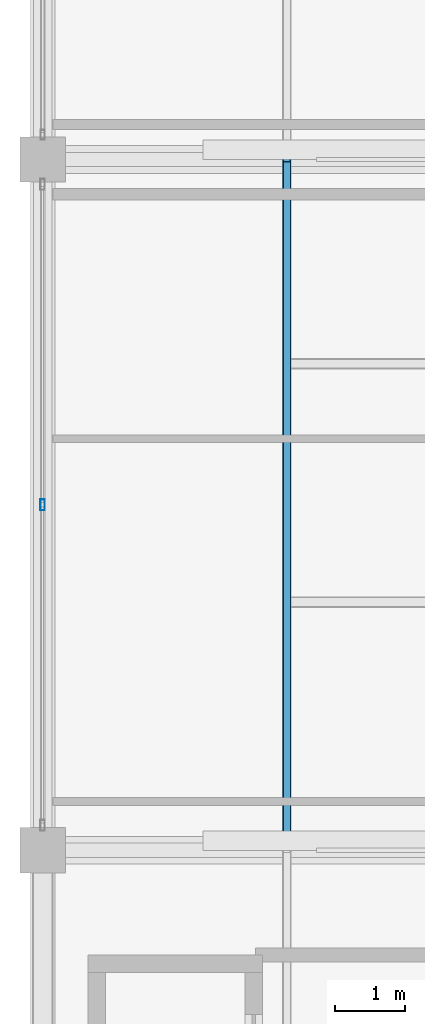
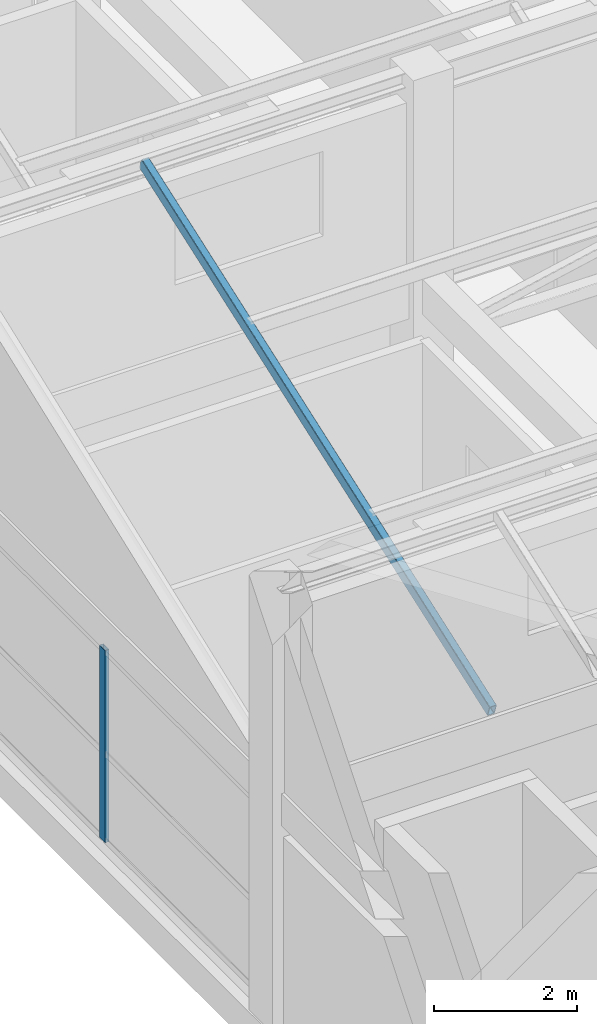
# One storey, part 7 of 35: 2 members, 1 element without a shape of its own.
"""IFC4 building model written with IfcOpenShell, lengths in metres."""

from ifc_helpers import new_model, si_unit, direction, frame, origin, origin_2d, place, context, subcontext, project, spatial, hollow_rectangle, extrude, material, layer, layer_set, material_profile, profile_set, type_object, element, aggregate, save


model = new_model("IFC4")

# Units and contexts
model_context = context("Model", 3, precision=1e-05, world=origin(), true_north=direction((0.0, 1.0)))
body_context = subcontext(model_context, "Body", "Model", "MODEL_VIEW")
ifc_project = project(units=[si_unit("LENGTHUNIT", "METRE"), si_unit("AREAUNIT", "SQUARE_METRE"), si_unit("VOLUMEUNIT", "CUBIC_METRE"), si_unit("PLANEANGLEUNIT", "RADIAN"), si_unit("MASSUNIT", "GRAM", prefix="KILO")], contexts=[model_context])

# Site, building, storey
site_placement = place(None, origin())
site = spatial("IfcSite", under=ifc_project, at=site_placement, CompositionType="ELEMENT")
building_placement = place(site_placement, origin())
building = spatial("IfcBuilding", under=site, at=building_placement, Name="Sillaruma Civic Art Gallery", CompositionType="ELEMENT")
storey_placement = place(building_placement, frame((0.0, 0.0, 74.4599609375)))
storey = spatial("IfcBuildingStorey", under=building, at=storey_placement, Name="L15", CompositionType="ELEMENT", Elevation=74.4599609375)

# Curtain wall, member
ifc_material_1 = material(Name="Thermally Broken Extruded Aluminium 6063-T6", Category="aluminium")
ifc_layer = layer(ifc_material_1, 0.159912109375, Name="Thermally Broken Extruded Aluminium 6063-T6")
ifc_layer_set = layer_set([ifc_layer], Name="Thermally Broken Extruded Aluminium 6063-T6")
curtain_wall_type = type_object("IfcCurtainWallType", Name="CW-UNI-111", PredefinedType="NOTDEFINED", material=ifc_layer_set)
curtain_wall_placement = place(storey_placement, origin())
curtain_wall = element("IfcCurtainWall", 1, at=curtain_wall_placement, inside=storey, type_object=curtain_wall_type, Name="Unitised Curtain Wall CW-111 (CW-L15-WBW-4)", PredefinedType="NOTDEFINED")
ifc_material_profile_1 = material_profile(ifc_material_1, hollow_rectangle(XDim=0.06494140625, YDim=0.159912109375, WallThickness=0.00390625, at=origin_2d()), Name="CWM65x160")
ifc_profile_set_1 = profile_set([ifc_material_profile_1], Name="Thermally Broken Extruded Aluminium 6063-T6")
member_type_1 = type_object("IfcMemberType", Name="MEM-MUL-CWM65x160", PredefinedType="MULLION", material=ifc_profile_set_1)
member_1_placement = place(storey_placement, frame((62.0, 54.449951171875, 0.0), z_axis=(0.0, 0.0, 1.0), x_axis=(-1.0, 0.0, 0.0)))
member_1 = element("IfcMember", 2, at=member_1_placement, type_object=member_type_1, Name="CW-111 mullion 2", PredefinedType="MULLION", context=body_context, shape_type="SweptSolid", body=[
    extrude(hollow_rectangle(XDim=0.06494140625, YDim=0.159912109375, WallThickness=0.00390625, at=origin_2d()), origin(), (0.0, 0.0, 1.0), 3.2900390625),
])
aggregate(curtain_wall, [member_1])

# Member
ifc_material_2 = material(Name="Structural Steel ASTM A500 Gr.C", Category="steel")
ifc_material_profile_2 = material_profile(ifc_material_2, hollow_rectangle(XDim=0.1201171875, YDim=0.199951171875, WallThickness=0.008056640625, InnerFilletRadius=0.008056640625, OuterFilletRadius=0.01611328125, at=origin_2d()), Name="HSS200x120x8")
ifc_profile_set_2 = profile_set([ifc_material_profile_2], Name="Structural Steel ASTM A500 Gr.C")
member_type_2 = type_object("IfcMemberType", Name="MEM-RAF-HSS200", PredefinedType="PURLIN", material=ifc_profile_set_2)
member_2_placement = place(storey_placement, frame((65.5, 49.639892578125, 3.900146484375), z_axis=(0.0, 0.942527174953, 0.33412950255), x_axis=(-1.0, 0.0, 0.0)))
element("IfcMember", 3, at=member_2_placement, inside=storey, type_object=member_type_2, Name="Sawtooth Sloped Steel Rafter (2-FW)", PredefinedType="PURLIN", context=body_context, shape_type="SweptSolid", body=[
    extrude(hollow_rectangle(XDim=0.1201171875, YDim=0.199951171875, WallThickness=0.008056640625, InnerFilletRadius=0.008056640625, OuterFilletRadius=0.01611328125, at=origin_2d()), origin(), (0.0, 0.0, 1.0), 10.355224609375),
])

save(model, "model.ifc")
